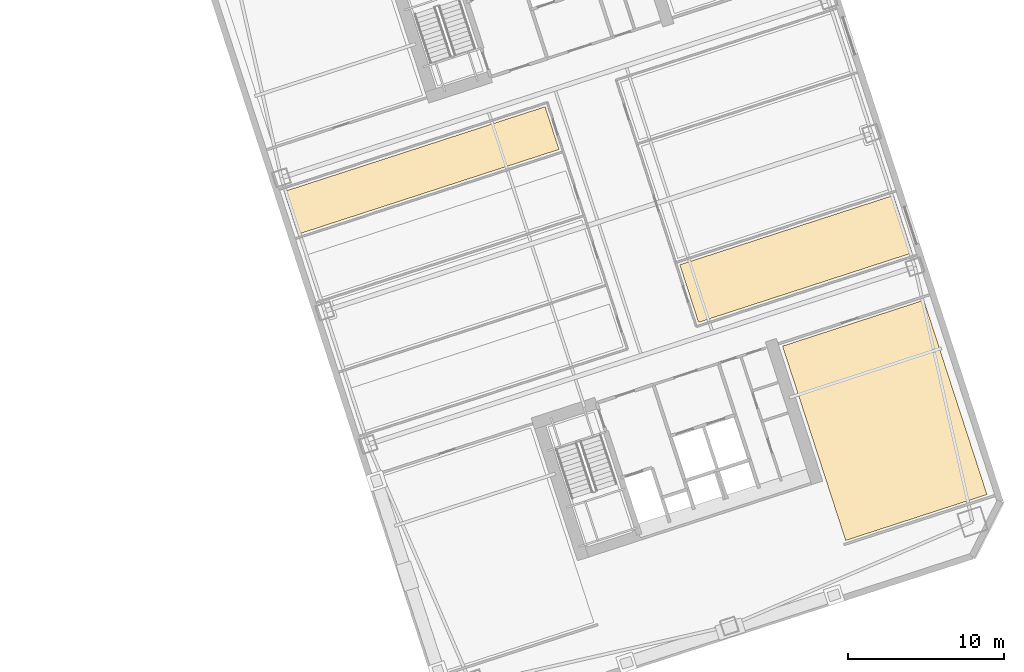
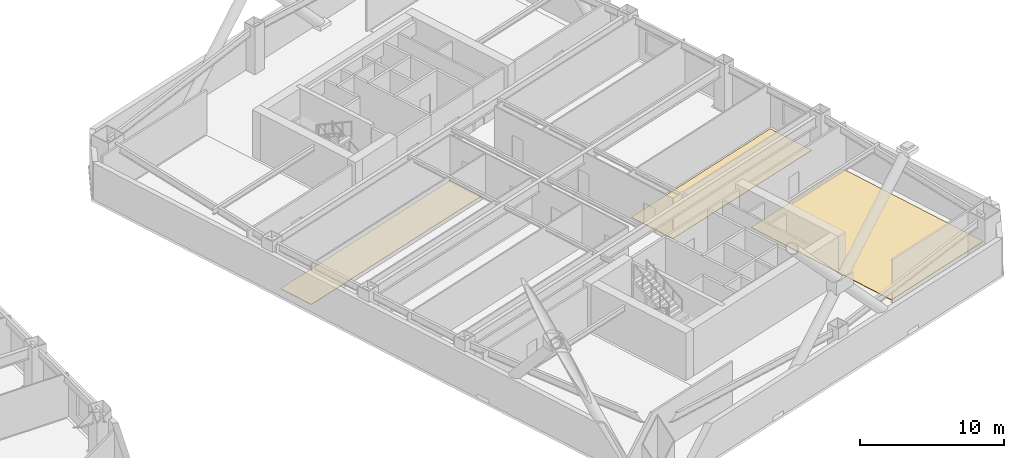
# One storey, part 16 of 18: 3 coverings.
"""IFC4 building model written with IfcOpenShell, lengths in metres."""

from ifc_helpers import new_model, si_unit, direction, frame, origin, place, context, subcontext, project, spatial, polyline, outline, extrude, material, layer, layer_set, type_object, element, save


model = new_model("IFC4")

# Units and contexts
model_context = context("Model", 3, precision=1e-05, world=origin(), true_north=direction((0.0, 1.0)))
body_context = subcontext(model_context, "Body", "Model", "MODEL_VIEW")
ifc_project = project(units=[si_unit("LENGTHUNIT", "METRE"), si_unit("AREAUNIT", "SQUARE_METRE"), si_unit("VOLUMEUNIT", "CUBIC_METRE"), si_unit("PLANEANGLEUNIT", "RADIAN"), si_unit("MASSUNIT", "GRAM", prefix="KILO")], contexts=[model_context])

# Site, building, storey
site_placement = place(None, origin())
site = spatial("IfcSite", under=ifc_project, at=site_placement, CompositionType="ELEMENT")
building_placement = place(site_placement, origin())
building = spatial("IfcBuilding", under=site, at=building_placement, Name="Qiaolan Cultural Towers", CompositionType="ELEMENT")
storey_placement = place(building_placement, frame((0.0, 0.0, 42.0)))
storey = spatial("IfcBuildingStorey", under=building, at=storey_placement, Name="L09", CompositionType="ELEMENT", Elevation=42.0)

# Coverings
ifc_material = material(Name="Honed Terrazzo & Raised Access Flooring", Category="concrete")
ifc_layer = layer(ifc_material, 0.0400390625)
ifc_layer_set = layer_set([ifc_layer], Name="Honed Terrazzo & Raised Access Flooring")
covering_type = type_object("IfcCoveringType", Name="COV-FLR-STONE", PredefinedType="FLOORING", material=ifc_layer_set)
covering_1_placement = place(storey_placement, origin())
element("IfcCovering", 1, at=covering_1_placement, inside=storey, type_object=covering_type, Name="L09 Corner Curatorial Research Office Finish Flooring", PredefinedType="FLOORING", context=body_context, shape_type="SweptSolid", body=[
    extrude(outline(polyline([(114.951171875, 16.525146484375), (110.900146484375, 28.993408203125), (101.83642578125, 26.048583984375), (105.8876953125, 13.580078125), (114.951171875, 16.525146484375)])), origin(), (0.0, 0.0, 1.0), 0.0400390625),
])
covering_2_placement = place(storey_placement, origin())
element("IfcCovering", 2, at=covering_2_placement, inside=storey, type_object=covering_type, Name="L09 Staff Lounge Finish Flooring", PredefinedType="FLOORING", context=body_context, shape_type="SweptSolid", body=[
    extrude(outline(polyline([(87.48828125, 38.672607421875), (86.59814453125, 41.41162109375), (69.845458984375, 35.96826171875), (70.7353515625, 33.229248046875), (87.48828125, 38.672607421875)])), origin(), (0.0, 0.0, 1.0), 0.0400390625),
])
covering_3_placement = place(storey_placement, origin())
element("IfcCovering", 3, at=covering_3_placement, inside=storey, type_object=covering_type, Name="L09 Cultural Bookstore Gallery Finish Flooring", PredefinedType="FLOORING", context=body_context, shape_type="SweptSolid", body=[
    extrude(outline(polyline([(110.154541015625, 32.03173828125), (108.95556640625, 35.721923828125), (95.24609375, 31.267333984375), (96.445068359375, 27.577392578125), (110.154541015625, 32.03173828125)])), origin(), (0.0, 0.0, 1.0), 0.0400390625),
])

save(model, "model.ifc")
